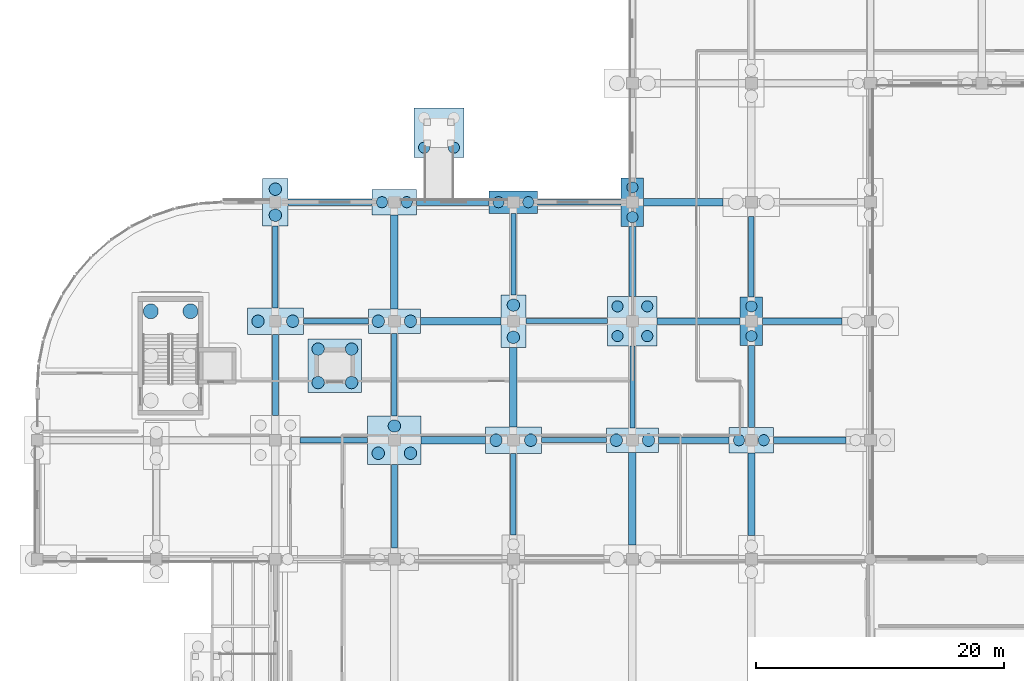
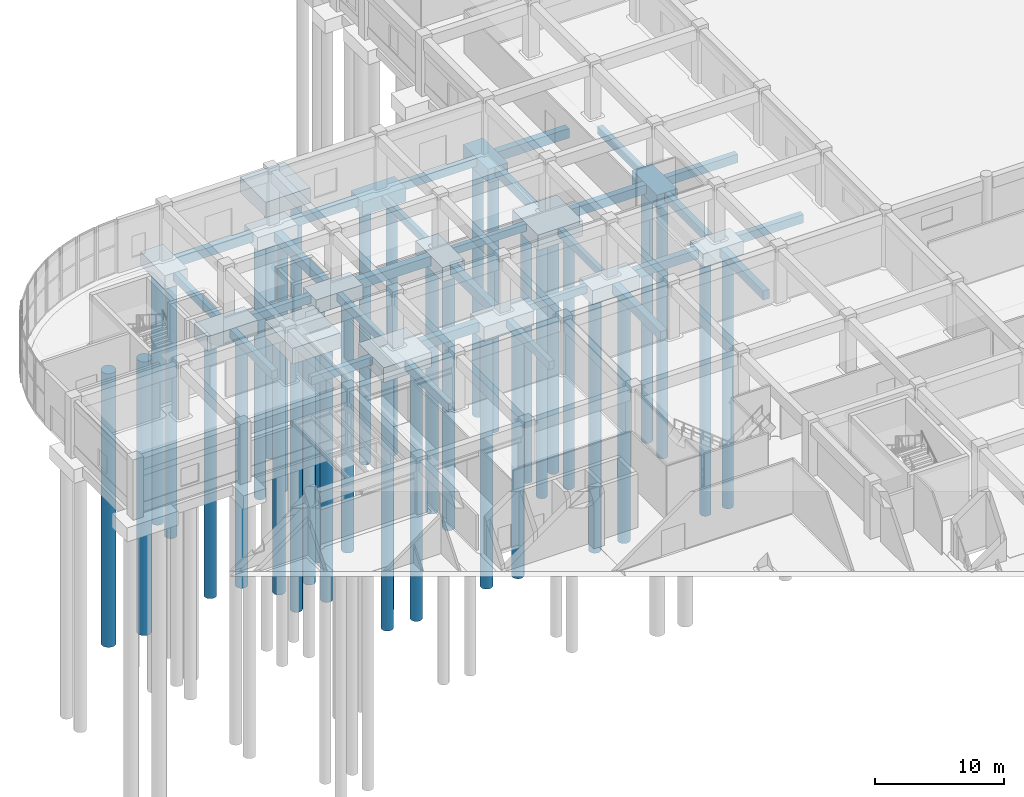
# One storey, part 2 of 74: 43 footings, 37 piles.
"""IFC4 building model written with IfcOpenShell, lengths in metres."""

from ifc_helpers import new_model, si_unit, direction, frame, origin, origin_2d, place, context, subcontext, project, spatial, rectangle, circle, extrude, material, material_profile, profile_set, type_object, element, save


model = new_model("IFC4")

# Units and contexts
model_context = context("Model", 3, precision=1e-05, world=origin(), true_north=direction((0.0, 1.0)))
body_context = subcontext(model_context, "Body", "Model", "MODEL_VIEW")
ifc_project = project(units=[si_unit("LENGTHUNIT", "METRE"), si_unit("AREAUNIT", "SQUARE_METRE"), si_unit("VOLUMEUNIT", "CUBIC_METRE"), si_unit("PLANEANGLEUNIT", "RADIAN"), si_unit("MASSUNIT", "GRAM", prefix="KILO")], contexts=[model_context])

# Site, building, storey
site_placement = place(None, origin())
site = spatial("IfcSite", under=ifc_project, at=site_placement, CompositionType="ELEMENT")
building_placement = place(site_placement, origin())
building = spatial("IfcBuilding", under=site, at=building_placement, Name="Cendralis Terraced Arcade", CompositionType="ELEMENT")
storey_placement = place(building_placement, origin())
storey = spatial("IfcBuildingStorey", under=building, at=storey_placement, Name="L00", CompositionType="ELEMENT", Elevation=0.0)

# Footings
ifc_material = material(Name="Concrete f'c 35 MPa", Category="concrete")
ifc_material_profile_1 = material_profile(ifc_material, rectangle(XDim=0.39990234375, YDim=0.699951171875, at=origin_2d()), Name="FB-400x700", Category="LoadBearing")
ifc_profile_set_1 = profile_set([ifc_material_profile_1], Name="Concrete f'c 35 MPa")
footing_type_1 = type_object("IfcFootingType", Name="FB-400x700", PredefinedType="FOOTING_BEAM", material=ifc_profile_set_1)
footing_1_placement = place(storey_placement, frame((40.64990234375, 69.60009765625, -0.64990234375), z_axis=(1.0, 0.0, 0.0), x_axis=(0.0, 1.0, 0.0)))
element("IfcFooting", 1, at=footing_1_placement, inside=storey, type_object=footing_type_1, Name="Reinforced Concrete Foundation Tie Beam FB-X-0084", PredefinedType="FOOTING_BEAM", context=body_context, shape_type="SweptSolid", body=[
    extrude(rectangle(XDim=0.39990234375, YDim=0.699951171875, at=origin_2d()), origin(), (0.0, 0.0, 1.0), 5.25),
])
footing_2_placement = place(storey_placement, frame((39.39990234375, 79.199951171875, -0.64990234375), z_axis=(1.0, 0.0, 0.0), x_axis=(0.0, 1.0, 0.0)))
element("IfcFooting", 2, at=footing_2_placement, inside=storey, type_object=footing_type_1, Name="Reinforced Concrete Foundation Tie Beam FB-X-0094", PredefinedType="FOOTING_BEAM", context=body_context, shape_type="SweptSolid", body=[
    extrude(rectangle(XDim=0.39990234375, YDim=0.699951171875, at=origin_2d()), origin(), (0.0, 0.0, 1.0), 6.60009765625),
])
for number, where, z_axis, x_axis, name in (
    (3, (38.39990234375, 81.300048828125, -0.64990234375), (0.0, 1.0, 0.0), (-1.0, 0.0, 0.0), "Reinforced Concrete Foundation Tie Beam FB-Y-0179"),
    (4, (48.0, 70.60009765625, -0.64990234375), (0.0, 1.0, 0.0), (-1.0, 0.0, 0.0), "Reinforced Concrete Foundation Tie Beam FB-Y-0184"),
):
    element("IfcFooting", number, at=place(storey_placement, frame(where, z_axis=z_axis, x_axis=x_axis)), inside=storey, type_object=footing_type_1, Name=name, PredefinedType="FOOTING_BEAM", context=body_context, shape_type="SweptSolid", body=[
        extrude(rectangle(XDim=0.39990234375, YDim=0.699951171875, at=origin_2d()), origin(), (0.0, 0.0, 1.0), 6.599853515625),
    ])
ifc_material_profile_2 = material_profile(ifc_material, rectangle(XDim=0.449951171875, YDim=0.75, at=origin_2d()), Name="FB-450x750", Category="LoadBearing")
ifc_profile_set_2 = profile_set([ifc_material_profile_2], Name="Concrete f'c 35 MPa")
footing_type_2 = type_object("IfcFootingType", Name="FB-450x750", PredefinedType="FOOTING_BEAM", material=ifc_profile_set_2)
footing_3_placement = place(storey_placement, frame((21.199951171875, 69.60009765625, -0.675048828125), z_axis=(1.0, 0.0, 0.0), x_axis=(0.0, 1.0, 0.0)))
element("IfcFooting", 5, at=footing_3_placement, inside=storey, type_object=footing_type_2, Name="Reinforced Concrete Foundation Tie Beam FB-X-0082", PredefinedType="FOOTING_BEAM", context=body_context, shape_type="SweptSolid", body=[
    extrude(rectangle(XDim=0.449951171875, YDim=0.75, at=origin_2d()), origin(), (0.0, 0.0, 1.0), 5.449951171875),
])
footing_4_placement = place(storey_placement, frame((21.449951171875, 79.199951171875, -0.675048828125), z_axis=(1.0, 0.0, 0.0), x_axis=(0.0, 1.0, 0.0)))
element("IfcFooting", 6, at=footing_4_placement, inside=storey, type_object=footing_type_2, Name="Reinforced Concrete Foundation Tie Beam FB-X-0092", PredefinedType="FOOTING_BEAM", context=body_context, shape_type="SweptSolid", body=[
    extrude(rectangle(XDim=0.449951171875, YDim=0.75, at=origin_2d()), origin(), (0.0, 0.0, 1.0), 5.25),
])
footing_5_placement = place(storey_placement, frame((40.35009765625, 88.800048828125, -0.675048828125), z_axis=(1.0, 0.0, 0.0), x_axis=(0.0, 1.0, 0.0)))
element("IfcFooting", 7, at=footing_5_placement, inside=storey, type_object=footing_type_2, Name="Reinforced Concrete Foundation Tie Beam FB-X-0102", PredefinedType="FOOTING_BEAM", context=body_context, shape_type="SweptSolid", body=[
    extrude(rectangle(XDim=0.449951171875, YDim=0.75, at=origin_2d()), origin(), (0.0, 0.0, 1.0), 6.75),
])
footing_6_placement = place(storey_placement, frame((19.199951171875, 80.27490234375, -0.675048828125), z_axis=(0.0, 1.0, 0.0), x_axis=(-1.0, 0.0, 0.0)))
element("IfcFooting", 8, at=footing_6_placement, inside=storey, type_object=footing_type_2, Name="Reinforced Concrete Foundation Tie Beam FB-Y-0167", PredefinedType="FOOTING_BEAM", context=body_context, shape_type="SweptSolid", body=[
    extrude(rectangle(XDim=0.449951171875, YDim=0.75, at=origin_2d()), origin(), (0.0, 0.0, 1.0), 6.625),
])
footing_7_placement = place(storey_placement, frame((28.800048828125, 71.550048828125, -0.675048828125), z_axis=(0.0, 1.0, 0.0), x_axis=(-1.0, 0.0, 0.0)))
element("IfcFooting", 9, at=footing_7_placement, inside=storey, type_object=footing_type_2, Name="Reinforced Concrete Foundation Tie Beam FB-Y-0172", PredefinedType="FOOTING_BEAM", context=body_context, shape_type="SweptSolid", body=[
    extrude(rectangle(XDim=0.449951171875, YDim=0.75, at=origin_2d()), origin(), (0.0, 0.0, 1.0), 6.64990234375),
])
footing_8_placement = place(storey_placement, frame((38.39990234375, 61.949951171875, -0.675048828125), z_axis=(0.0, 1.0, 0.0), x_axis=(-1.0, 0.0, 0.0)))
element("IfcFooting", 10, at=footing_8_placement, inside=storey, type_object=footing_type_2, Name="Reinforced Concrete Foundation Tie Beam FB-Y-0177", PredefinedType="FOOTING_BEAM", context=body_context, shape_type="SweptSolid", body=[
    extrude(rectangle(XDim=0.449951171875, YDim=0.75, at=origin_2d()), origin(), (0.0, 0.0, 1.0), 6.574951171875),
])
footing_9_placement = place(storey_placement, frame((57.60009765625, 81.14990234375, -0.675048828125), z_axis=(0.0, 1.0, 0.0), x_axis=(-1.0, 0.0, 0.0)))
element("IfcFooting", 11, at=footing_9_placement, inside=storey, type_object=footing_type_2, Name="Reinforced Concrete Foundation Tie Beam FB-Y-0197", PredefinedType="FOOTING_BEAM", context=body_context, shape_type="SweptSolid", body=[
    extrude(rectangle(XDim=0.449951171875, YDim=0.75, at=origin_2d()), origin(), (0.0, 0.0, 1.0), 6.5),
])
ifc_material_profile_3 = material_profile(ifc_material, rectangle(XDim=0.5, YDim=0.800048828125, at=origin_2d()), Name="FB-500x800", Category="LoadBearing")
ifc_profile_set_3 = profile_set([ifc_material_profile_3], Name="Concrete f'c 35 MPa")
footing_type_3 = type_object("IfcFootingType", Name="FB-500x800", PredefinedType="FOOTING_BEAM", material=ifc_profile_set_3)
footing_10_placement = place(storey_placement, frame((59.39990234375, 69.60009765625, -0.699951171875), z_axis=(1.0, 0.0, 0.0), x_axis=(0.0, 1.0, 0.0)))
element("IfcFooting", 12, at=footing_10_placement, inside=storey, type_object=footing_type_3, Name="Reinforced Concrete Foundation Tie Beam FB-X-0086", PredefinedType="FOOTING_BEAM", context=body_context, shape_type="SweptSolid", body=[
    extrude(rectangle(XDim=0.5, YDim=0.800048828125, at=origin_2d()), origin(), (0.0, 0.0, 1.0), 5.85009765625),
])
footing_11_placement = place(storey_placement, frame((58.5, 79.199951171875, -0.699951171875), z_axis=(1.0, 0.0, 0.0), x_axis=(0.0, 1.0, 0.0)))
element("IfcFooting", 13, at=footing_11_placement, inside=storey, type_object=footing_type_3, Name="Reinforced Concrete Foundation Tie Beam FB-X-0096", PredefinedType="FOOTING_BEAM", context=body_context, shape_type="SweptSolid", body=[
    extrude(rectangle(XDim=0.5, YDim=0.800048828125, at=origin_2d()), origin(), (0.0, 0.0, 1.0), 6.419921875),
])
footing_12_placement = place(storey_placement, frame((30.60009765625, 88.800048828125, -0.699951171875), z_axis=(1.0, 0.0, 0.0), x_axis=(0.0, 1.0, 0.0)))
element("IfcFooting", 14, at=footing_12_placement, inside=storey, type_object=footing_type_3, Name="Reinforced Concrete Foundation Tie Beam FB-X-0101", PredefinedType="FOOTING_BEAM", context=body_context, shape_type="SweptSolid", body=[
    extrude(rectangle(XDim=0.5, YDim=0.800048828125, at=origin_2d()), origin(), (0.0, 0.0, 1.0), 5.849853515625),
])
footing_13_placement = place(storey_placement, frame((19.199951171875, 71.60009765625, -0.699951171875), z_axis=(0.0, 1.0, 0.0), x_axis=(-1.0, 0.0, 0.0)))
element("IfcFooting", 15, at=footing_13_placement, inside=storey, type_object=footing_type_3, Name="Reinforced Concrete Foundation Tie Beam FB-Y-0166", PredefinedType="FOOTING_BEAM", context=body_context, shape_type="SweptSolid", body=[
    extrude(rectangle(XDim=0.5, YDim=0.800048828125, at=origin_2d()), origin(), (0.0, 0.0, 1.0), 6.52490234375),
])
footing_14_placement = place(storey_placement, frame((28.800048828125, 60.89990234375, -0.699951171875), z_axis=(0.0, 1.0, 0.0), x_axis=(-1.0, 0.0, 0.0)))
element("IfcFooting", 16, at=footing_14_placement, inside=storey, type_object=footing_type_3, Name="Reinforced Concrete Foundation Tie Beam FB-Y-0171", PredefinedType="FOOTING_BEAM", context=body_context, shape_type="SweptSolid", body=[
    extrude(rectangle(XDim=0.5, YDim=0.800048828125, at=origin_2d()), origin(), (0.0, 0.0, 1.0), 6.75),
])
footing_15_placement = place(storey_placement, frame((57.60009765625, 70.625, -0.699951171875), z_axis=(0.0, 1.0, 0.0), x_axis=(-1.0, 0.0, 0.0)))
element("IfcFooting", 17, at=footing_15_placement, inside=storey, type_object=footing_type_3, Name="Reinforced Concrete Foundation Tie Beam FB-Y-0196", PredefinedType="FOOTING_BEAM", context=body_context, shape_type="SweptSolid", body=[
    extrude(rectangle(XDim=0.5, YDim=0.800048828125, at=origin_2d()), origin(), (0.0, 0.0, 1.0), 6.625),
])
ifc_material_profile_4 = material_profile(ifc_material, rectangle(XDim=0.550048828125, YDim=0.85009765625, at=origin_2d()), Name="FB-550x850", Category="LoadBearing")
ifc_profile_set_4 = profile_set([ifc_material_profile_4], Name="Concrete f'c 35 MPa")
footing_type_4 = type_object("IfcFootingType", Name="FB-550x850", PredefinedType="FOOTING_BEAM", material=ifc_profile_set_4)
footing_16_placement = place(storey_placement, frame((50.10009765625, 69.60009765625, -0.72509765625), z_axis=(1.0, 0.0, 0.0), x_axis=(0.0, 1.0, 0.0)))
element("IfcFooting", 18, at=footing_16_placement, inside=storey, type_object=footing_type_4, Name="Reinforced Concrete Foundation Tie Beam FB-X-0085", PredefinedType="FOOTING_BEAM", context=body_context, shape_type="SweptSolid", body=[
    extrude(rectangle(XDim=0.550048828125, YDim=0.85009765625, at=origin_2d()), origin(), (0.0, 0.0, 1.0), 5.699951171875),
])
footing_17_placement = place(storey_placement, frame((50.0, 79.199951171875, -0.72509765625), z_axis=(1.0, 0.0, 0.0), x_axis=(0.0, 1.0, 0.0)))
element("IfcFooting", 19, at=footing_17_placement, inside=storey, type_object=footing_type_4, Name="Reinforced Concrete Foundation Tie Beam FB-X-0095", PredefinedType="FOOTING_BEAM", context=body_context, shape_type="SweptSolid", body=[
    extrude(rectangle(XDim=0.550048828125, YDim=0.85009765625, at=origin_2d()), origin(), (0.0, 0.0, 1.0), 6.699951171875),
])
footing_18_placement = place(storey_placement, frame((20.22509765625, 88.800048828125, -0.72509765625), z_axis=(1.0, 0.0, 0.0), x_axis=(0.0, 1.0, 0.0)))
element("IfcFooting", 20, at=footing_18_placement, inside=storey, type_object=footing_type_4, Name="Reinforced Concrete Foundation Tie Beam FB-X-0100", PredefinedType="FOOTING_BEAM", context=body_context, shape_type="SweptSolid", body=[
    extrude(rectangle(XDim=0.550048828125, YDim=0.85009765625, at=origin_2d()), origin(), (0.0, 0.0, 1.0), 6.77490234375),
])
footing_19_placement = place(storey_placement, frame((48.0, 81.199951171875, -0.72509765625), z_axis=(0.0, 1.0, 0.0), x_axis=(-1.0, 0.0, 0.0)))
element("IfcFooting", 21, at=footing_19_placement, inside=storey, type_object=footing_type_4, Name="Reinforced Concrete Foundation Tie Beam FB-Y-0185", PredefinedType="FOOTING_BEAM", context=body_context, shape_type="SweptSolid", body=[
    extrude(rectangle(XDim=0.550048828125, YDim=0.85009765625, at=origin_2d()), origin(), (0.0, 0.0, 1.0), 5.650146484375),
])
footing_20_placement = place(storey_placement, frame((57.60009765625, 61.89990234375, -0.72509765625), z_axis=(0.0, 1.0, 0.0), x_axis=(-1.0, 0.0, 0.0)))
element("IfcFooting", 22, at=footing_20_placement, inside=storey, type_object=footing_type_4, Name="Reinforced Concrete Foundation Tie Beam FB-Y-0195", PredefinedType="FOOTING_BEAM", context=body_context, shape_type="SweptSolid", body=[
    extrude(rectangle(XDim=0.550048828125, YDim=0.85009765625, at=origin_2d()), origin(), (0.0, 0.0, 1.0), 6.675048828125),
])
ifc_material_profile_5 = material_profile(ifc_material, rectangle(XDim=0.60009765625, YDim=0.89990234375, at=origin_2d()), Name="FB-600x900", Category="LoadBearing")
ifc_profile_set_5 = profile_set([ifc_material_profile_5], Name="Concrete f'c 35 MPa")
footing_type_5 = type_object("IfcFootingType", Name="FB-600x900", PredefinedType="FOOTING_BEAM", material=ifc_profile_set_5)
footing_21_placement = place(storey_placement, frame((30.949951171875, 69.60009765625, -0.75), z_axis=(1.0, 0.0, 0.0), x_axis=(0.0, 1.0, 0.0)))
element("IfcFooting", 23, at=footing_21_placement, inside=storey, type_object=footing_type_5, Name="Reinforced Concrete Foundation Tie Beam FB-X-0083", PredefinedType="FOOTING_BEAM", context=body_context, shape_type="SweptSolid", body=[
    extrude(rectangle(XDim=0.60009765625, YDim=0.89990234375, at=origin_2d()), origin(), (0.0, 0.0, 1.0), 5.199951171875),
])
footing_22_placement = place(storey_placement, frame((30.89990234375, 79.199951171875, -0.75), z_axis=(1.0, 0.0, 0.0), x_axis=(0.0, 1.0, 0.0)))
element("IfcFooting", 24, at=footing_22_placement, inside=storey, type_object=footing_type_5, Name="Reinforced Concrete Foundation Tie Beam FB-X-0093", PredefinedType="FOOTING_BEAM", context=body_context, shape_type="SweptSolid", body=[
    extrude(rectangle(XDim=0.60009765625, YDim=0.89990234375, at=origin_2d()), origin(), (0.0, 0.0, 1.0), 6.5),
])
footing_23_placement = place(storey_placement, frame((48.89990234375, 88.800048828125, -0.75), z_axis=(1.0, 0.0, 0.0), x_axis=(0.0, 1.0, 0.0)))
element("IfcFooting", 25, at=footing_23_placement, inside=storey, type_object=footing_type_5, Name="Reinforced Concrete Foundation Tie Beam FB-X-0103", PredefinedType="FOOTING_BEAM", context=body_context, shape_type="SweptSolid", body=[
    extrude(rectangle(XDim=0.60009765625, YDim=0.89990234375, at=origin_2d()), origin(), (0.0, 0.0, 1.0), 6.420166015625),
])
footing_24_placement = place(storey_placement, frame((28.800048828125, 80.199951171875, -0.75), z_axis=(0.0, 1.0, 0.0), x_axis=(-1.0, 0.0, 0.0)))
element("IfcFooting", 26, at=footing_24_placement, inside=storey, type_object=footing_type_5, Name="Reinforced Concrete Foundation Tie Beam FB-Y-0173", PredefinedType="FOOTING_BEAM", context=body_context, shape_type="SweptSolid", body=[
    extrude(rectangle(XDim=0.60009765625, YDim=0.89990234375, at=origin_2d()), origin(), (0.0, 0.0, 1.0), 7.574951171875),
])
footing_25_placement = place(storey_placement, frame((38.39990234375, 70.675048828125, -0.75), z_axis=(0.0, 1.0, 0.0), x_axis=(-1.0, 0.0, 0.0)))
element("IfcFooting", 27, at=footing_25_placement, inside=storey, type_object=footing_type_5, Name="Reinforced Concrete Foundation Tie Beam FB-Y-0178", PredefinedType="FOOTING_BEAM", context=body_context, shape_type="SweptSolid", body=[
    extrude(rectangle(XDim=0.60009765625, YDim=0.89990234375, at=origin_2d()), origin(), (0.0, 0.0, 1.0), 6.425048828125),
])
footing_26_placement = place(storey_placement, frame((48.0, 61.14990234375, -0.75), z_axis=(0.0, 1.0, 0.0), x_axis=(-1.0, 0.0, 0.0)))
element("IfcFooting", 28, at=footing_26_placement, inside=storey, type_object=footing_type_5, Name="Reinforced Concrete Foundation Tie Beam FB-Y-0183", PredefinedType="FOOTING_BEAM", context=body_context, shape_type="SweptSolid", body=[
    extrude(rectangle(XDim=0.60009765625, YDim=0.89990234375, at=origin_2d()), origin(), (0.0, 0.0, 1.0), 7.4501953125),
])
footing_type_6 = type_object("IfcFootingType", Name="PC-2P-1800x3900x1300", PredefinedType="PILE_CAP", material=ifc_material)
for number, where, z_axis, x_axis, name in (
    (29, (48.0, 88.800048828125, -1.60009765625), (0.0, 0.0, 1.0), (1.0, 0.0, 0.0), "Reinforced Concrete Bored Pile Cap CAP-G6-K"),
    (30, (57.60009765625, 79.199951171875, -1.60009765625), (0.0, 0.0, 1.0), (1.0, 0.0, 0.0), "Reinforced Concrete Bored Pile Cap CAP-G7-J"),
):
    element("IfcFooting", number, at=place(storey_placement, frame(where, z_axis=z_axis, x_axis=x_axis)), inside=storey, type_object=footing_type_6, Name=name, PredefinedType="PILE_CAP", context=body_context, shape_type="SweptSolid", body=[
        extrude(rectangle(XDim=1.800048828125, YDim=3.89990234375, at=origin_2d()), origin(), (0.0, 0.0, 1.0), 1.300048828125),
    ])
footing_type_7 = type_object("IfcFootingType", Name="PC-2P-2000x4200x1350", PredefinedType="PILE_CAP", material=ifc_material)
footing_27_placement = place(storey_placement, frame((38.39990234375, 79.199951171875, -1.650146484375), z_axis=(0.0, 0.0, 1.0), x_axis=(1.0, 0.0, 0.0)))
element("IfcFooting", 31, at=footing_27_placement, inside=storey, type_object=footing_type_7, Name="Reinforced Concrete Bored Pile Cap CAP-G5-J", PredefinedType="PILE_CAP", context=body_context, shape_type="SweptSolid", body=[
    extrude(rectangle(XDim=2.0, YDim=4.199951171875, at=origin_2d()), origin(), (0.0, 0.0, 1.0), 1.35009765625),
])
footing_type_8 = type_object("IfcFootingType", Name="PC-2P-2050x3800x1280", PredefinedType="PILE_CAP", material=ifc_material)
footing_28_placement = place(storey_placement, frame((19.199951171875, 88.800048828125, -1.580078125), z_axis=(0.0, 0.0, 1.0), x_axis=(1.0, 0.0, 0.0)))
element("IfcFooting", 32, at=footing_28_placement, inside=storey, type_object=footing_type_8, Name="Reinforced Concrete Bored Pile Cap CAP-G3-K", PredefinedType="PILE_CAP", context=body_context, shape_type="SweptSolid", body=[
    extrude(rectangle(XDim=2.050048828125, YDim=3.800048828125, at=origin_2d()), origin(), (0.0, 0.0, 1.0), 1.280029296875),
])
footing_type_9 = type_object("IfcFootingType", Name="PC-2P-3600x2050x1260", PredefinedType="PILE_CAP", material=ifc_material)
for number, where, z_axis, x_axis, name in (
    (33, (28.800048828125, 88.800048828125, -1.56005859375), (0.0, 0.0, 1.0), (1.0, 0.0, 0.0), "Reinforced Concrete Bored Pile Cap CAP-G4-K"),
    (34, (57.60009765625, 69.60009765625, -1.56005859375), (0.0, 0.0, 1.0), (1.0, 0.0, 0.0), "Reinforced Concrete Bored Pile Cap CAP-G7-H"),
):
    element("IfcFooting", number, at=place(storey_placement, frame(where, z_axis=z_axis, x_axis=x_axis)), inside=storey, type_object=footing_type_9, Name=name, PredefinedType="PILE_CAP", context=body_context, shape_type="SweptSolid", body=[
        extrude(rectangle(XDim=3.60009765625, YDim=2.050048828125, at=origin_2d()), origin(), (0.0, 0.0, 1.0), 1.260009765625),
    ])
footing_type_10 = type_object("IfcFootingType", Name="PC-2P-3900x1800x1300", PredefinedType="PILE_CAP", material=ifc_material)
footing_29_placement = place(storey_placement, frame((38.39990234375, 88.800048828125, -1.60009765625), z_axis=(0.0, 0.0, 1.0), x_axis=(1.0, 0.0, 0.0)))
element("IfcFooting", 35, at=footing_29_placement, inside=storey, type_object=footing_type_10, Name="Reinforced Concrete Bored Pile Cap CAP-G5-K", PredefinedType="PILE_CAP", context=body_context, shape_type="SweptSolid", body=[
    extrude(rectangle(XDim=3.89990234375, YDim=1.800048828125, at=origin_2d()), origin(), (0.0, 0.0, 1.0), 1.300048828125),
])
footing_type_11 = type_object("IfcFootingType", Name="PC-2P-4200x2000x1350", PredefinedType="PILE_CAP", material=ifc_material)
for number, where, z_axis, x_axis, name in (
    (36, (28.800048828125, 79.199951171875, -1.650146484375), (0.0, 0.0, 1.0), (1.0, 0.0, 0.0), "Reinforced Concrete Bored Pile Cap CAP-G4-J"),
    (37, (48.0, 69.60009765625, -1.650146484375), (0.0, 0.0, 1.0), (1.0, 0.0, 0.0), "Reinforced Concrete Bored Pile Cap CAP-G6-H"),
):
    element("IfcFooting", number, at=place(storey_placement, frame(where, z_axis=z_axis, x_axis=x_axis)), inside=storey, type_object=footing_type_11, Name=name, PredefinedType="PILE_CAP", context=body_context, shape_type="SweptSolid", body=[
        extrude(rectangle(XDim=4.199951171875, YDim=2.0, at=origin_2d()), origin(), (0.0, 0.0, 1.0), 1.35009765625),
    ])
footing_type_12 = type_object("IfcFootingType", Name="PC-2P-4500x2150x1380", PredefinedType="PILE_CAP", material=ifc_material)
for number, where, z_axis, x_axis, name in (
    (38, (19.199951171875, 79.199951171875, -1.679931640625), (0.0, 0.0, 1.0), (1.0, 0.0, 0.0), "Reinforced Concrete Bored Pile Cap CAP-G3-J"),
    (39, (38.39990234375, 69.60009765625, -1.679931640625), (0.0, 0.0, 1.0), (1.0, 0.0, 0.0), "Reinforced Concrete Bored Pile Cap CAP-G5-H"),
):
    element("IfcFooting", number, at=place(storey_placement, frame(where, z_axis=z_axis, x_axis=x_axis)), inside=storey, type_object=footing_type_12, Name=name, PredefinedType="PILE_CAP", context=body_context, shape_type="SweptSolid", body=[
        extrude(rectangle(XDim=4.5, YDim=2.14990234375, at=origin_2d()), origin(), (0.0, 0.0, 1.0), 1.3798828125),
    ])
footing_type_13 = type_object("IfcFootingType", Name="PC-3P-4300x3900x1400", PredefinedType="PILE_CAP", material=ifc_material)
footing_30_placement = place(storey_placement, frame((28.800048828125, 69.60009765625, -1.699951171875), z_axis=(0.0, 0.0, 1.0), x_axis=(1.0, 0.0, 0.0)))
element("IfcFooting", 40, at=footing_30_placement, inside=storey, type_object=footing_type_13, Name="Reinforced Concrete Bored Pile Cap CAP-G4-H", PredefinedType="PILE_CAP", context=body_context, shape_type="SweptSolid", body=[
    extrude(rectangle(XDim=4.300048828125, YDim=3.89990234375, at=origin_2d()), origin(), (0.0, 0.0, 1.0), 1.39990234375),
])
footing_type_14 = type_object("IfcFootingType", Name="PC-4P-4000x4000x1450", PredefinedType="PILE_CAP", material=ifc_material)
for number, where, z_axis, x_axis, name in (
    (41, (48.0, 79.199951171875, -1.75), (0.0, 0.0, 1.0), (1.0, 0.0, 0.0), "Reinforced Concrete Bored Pile Cap CAP-G6-J"),
    (42, (32.39990234375, 94.39990234375, -2.39990234375), (0.0, 0.0, 1.0), (1.0, 0.0, 0.0), "Reinforced Concrete Bored Pile Cap CAP-RMP-06"),
):
    element("IfcFooting", number, at=place(storey_placement, frame(where, z_axis=z_axis, x_axis=x_axis)), inside=storey, type_object=footing_type_14, Name=name, PredefinedType="PILE_CAP", context=body_context, shape_type="SweptSolid", body=[
        extrude(rectangle(XDim=4.0, YDim=4.0, at=origin_2d()), origin(), (0.0, 0.0, 1.0), 1.449951171875),
    ])
footing_type_15 = type_object("IfcFootingType", Name="PC-4P-4300x4300x1480", PredefinedType="PILE_CAP", material=ifc_material)
footing_31_placement = place(storey_placement, frame((24.0, 75.60009765625, -1.780029296875), z_axis=(0.0, 0.0, 1.0), x_axis=(1.0, 0.0, 0.0)))
element("IfcFooting", 43, at=footing_31_placement, inside=storey, type_object=footing_type_15, Name="Reinforced Concrete Bored Pile Cap CAP-PL-06", PredefinedType="PILE_CAP", context=body_context, shape_type="SweptSolid", body=[
    extrude(rectangle(XDim=4.300048828125, YDim=4.300048828125, at=origin_2d()), origin(), (0.0, 0.0, 1.0), 1.47998046875),
])

# Piles
ifc_material_profile_6 = material_profile(ifc_material, circle(Radius=0.5, at=origin_2d()), Name="PILE-D1000", Category="LoadBearing")
ifc_profile_set_6 = profile_set([ifc_material_profile_6], Name="Concrete f'c 35 MPa")
pile_type_1 = type_object("IfcPileType", Name="PILE-1000", PredefinedType="BORED", material=ifc_profile_set_6)
for number, where, z_axis, x_axis, name in (
    (44, (22.64990234375, 74.25, -1.679931640625), (0.0, 0.0, -1.0), (1.0, 0.0, 0.0), "Bored Concrete Pile PILE-C-CAP-PL-06-4--135_-135"),
    (45, (25.35009765625, 74.25, -1.679931640625), (0.0, 0.0, -1.0), (1.0, 0.0, 0.0), "Bored Concrete Pile PILE-C-CAP-PL-06-4-135_-135"),
    (46, (22.64990234375, 76.949951171875, -1.679931640625), (0.0, 0.0, -1.0), (1.0, 0.0, 0.0), "Bored Concrete Pile PILE-C-CAP-PL-06-4--135_135"),
    (47, (25.35009765625, 76.949951171875, -1.679931640625), (0.0, 0.0, -1.0), (1.0, 0.0, 0.0), "Bored Concrete Pile PILE-C-CAP-PL-06-4-135_135"),
):
    element("IfcPile", number, at=place(storey_placement, frame(where, z_axis=z_axis, x_axis=x_axis)), inside=storey, type_object=pile_type_1, Name=name, PredefinedType="BORED", context=body_context, shape_type="SweptSolid", body=[
        extrude(circle(Radius=0.5, at=origin_2d()), origin(), (0.0, 0.0, 1.0), 24.02001953125),
    ])
for number, where, z_axis, x_axis, name in (
    (48, (17.800048828125, 79.199951171875, -1.580078125), (0.0, 0.0, -1.0), (1.0, 0.0, 0.0), "Bored Concrete Pile PILE-C-CAP-G3-J-2--140_0"),
    (49, (20.60009765625, 79.199951171875, -1.580078125), (0.0, 0.0, -1.0), (1.0, 0.0, 0.0), "Bored Concrete Pile PILE-C-CAP-G3-J-2-140_0"),
):
    element("IfcPile", number, at=place(storey_placement, frame(where, z_axis=z_axis, x_axis=x_axis)), inside=storey, type_object=pile_type_1, Name=name, PredefinedType="BORED", context=body_context, shape_type="SweptSolid", body=[
        extrude(circle(Radius=0.5, at=origin_2d()), origin(), (0.0, 0.0, 1.0), 24.1201171875),
    ])
for number, where, z_axis, x_axis, name in (
    (50, (19.199951171875, 87.75, -1.47998046875), (0.0, 0.0, -1.0), (1.0, 0.0, 0.0), "Bored Concrete Pile PILE-C-CAP-G3-K-1-0_-105"),
    (51, (19.199951171875, 89.85009765625, -1.47998046875), (0.0, 0.0, -1.0), (1.0, 0.0, 0.0), "Bored Concrete Pile PILE-B-CAP-G3-K-1"),
):
    element("IfcPile", number, at=place(storey_placement, frame(where, z_axis=z_axis, x_axis=x_axis)), inside=storey, type_object=pile_type_1, Name=name, PredefinedType="BORED", context=body_context, shape_type="SweptSolid", body=[
        extrude(circle(Radius=0.5, at=origin_2d()), origin(), (0.0, 0.0, 1.0), 24.219970703125),
    ])
for number, where, z_axis, x_axis, name in (
    (52, (27.5, 68.550048828125, -1.60009765625), (0.0, 0.0, -1.0), (1.0, 0.0, 0.0), "Bored Concrete Pile PILE-C-CAP-G4-H-3--130_-105"),
    (53, (30.10009765625, 68.550048828125, -1.60009765625), (0.0, 0.0, -1.0), (1.0, 0.0, 0.0), "Bored Concrete Pile PILE-C-CAP-G4-H-3-130_-105"),
    (54, (28.800048828125, 70.75, -1.60009765625), (0.0, 0.0, -1.0), (1.0, 0.0, 0.0), "Bored Concrete Pile PILE-C-CAP-G4-H-3-0_115"),
):
    element("IfcPile", number, at=place(storey_placement, frame(where, z_axis=z_axis, x_axis=x_axis)), inside=storey, type_object=pile_type_1, Name=name, PredefinedType="BORED", context=body_context, shape_type="SweptSolid", body=[
        extrude(circle(Radius=0.5, at=origin_2d()), origin(), (0.0, 0.0, 1.0), 24.10009765625),
    ])
for number, where, z_axis, x_axis, name in (
    (55, (27.5, 79.199951171875, -1.550048828125), (0.0, 0.0, -1.0), (1.0, 0.0, 0.0), "Bored Concrete Pile PILE-C-CAP-G4-J-2--130_0"),
    (56, (30.10009765625, 79.199951171875, -1.550048828125), (0.0, 0.0, -1.0), (1.0, 0.0, 0.0), "Bored Concrete Pile PILE-C-CAP-G4-J-2-130_0"),
):
    element("IfcPile", number, at=place(storey_placement, frame(where, z_axis=z_axis, x_axis=x_axis)), inside=storey, type_object=pile_type_1, Name=name, PredefinedType="BORED", context=body_context, shape_type="SweptSolid", body=[
        extrude(circle(Radius=0.5, at=origin_2d()), origin(), (0.0, 0.0, 1.0), 24.14990234375),
    ])
for number, where, z_axis, x_axis, name in (
    (57, (37.0, 69.60009765625, -1.580078125), (0.0, 0.0, -1.0), (1.0, 0.0, 0.0), "Bored Concrete Pile PILE-C-CAP-G5-H-2--140_0"),
    (58, (39.800048828125, 69.60009765625, -1.580078125), (0.0, 0.0, -1.0), (1.0, 0.0, 0.0), "Bored Concrete Pile PILE-C-CAP-G5-H-2-140_0"),
):
    element("IfcPile", number, at=place(storey_placement, frame(where, z_axis=z_axis, x_axis=x_axis)), inside=storey, type_object=pile_type_1, Name=name, PredefinedType="BORED", context=body_context, shape_type="SweptSolid", body=[
        extrude(circle(Radius=0.5, at=origin_2d()), origin(), (0.0, 0.0, 1.0), 24.1201171875),
    ])
for number, where, z_axis, x_axis, name in (
    (59, (38.39990234375, 77.89990234375, -1.550048828125), (0.0, 0.0, -1.0), (1.0, 0.0, 0.0), "Bored Concrete Pile PILE-C-CAP-G5-J-2-0_-130"),
    (60, (38.39990234375, 80.5, -1.550048828125), (0.0, 0.0, -1.0), (1.0, 0.0, 0.0), "Bored Concrete Pile PILE-C-CAP-G5-J-2-0_130"),
    (61, (46.699951171875, 69.60009765625, -1.550048828125), (0.0, 0.0, -1.0), (1.0, 0.0, 0.0), "Bored Concrete Pile PILE-C-CAP-G6-H-2--130_0"),
    (62, (49.300048828125, 69.60009765625, -1.550048828125), (0.0, 0.0, -1.0), (1.0, 0.0, 0.0), "Bored Concrete Pile PILE-C-CAP-G6-H-2-130_0"),
):
    element("IfcPile", number, at=place(storey_placement, frame(where, z_axis=z_axis, x_axis=x_axis)), inside=storey, type_object=pile_type_1, Name=name, PredefinedType="BORED", context=body_context, shape_type="SweptSolid", body=[
        extrude(circle(Radius=0.5, at=origin_2d()), origin(), (0.0, 0.0, 1.0), 24.14990234375),
    ])
ifc_material_profile_7 = material_profile(ifc_material, circle(Radius=0.60009765625, at=origin_2d()), Name="PILE-D1200", Category="LoadBearing")
ifc_profile_set_7 = profile_set([ifc_material_profile_7], Name="Concrete f'c 35 MPa")
pile_type_2 = type_object("IfcPileType", Name="PILE-1200", PredefinedType="BORED", material=ifc_profile_set_7)
for number, where, z_axis, x_axis, name in (
    (63, (9.14990234375, 80.0, -1.800048828125), (0.0, 0.0, -1.0), (1.0, 0.0, 0.0), "Bored Concrete Pile PILE-C-CAP-ST-07-6--160_360"),
    (64, (12.35009765625, 80.0, -1.800048828125), (0.0, 0.0, -1.0), (1.0, 0.0, 0.0), "Bored Concrete Pile PILE-C-CAP-ST-07-6-160_360"),
):
    element("IfcPile", number, at=place(storey_placement, frame(where, z_axis=z_axis, x_axis=x_axis)), inside=storey, type_object=pile_type_2, Name=name, PredefinedType="BORED", context=body_context, shape_type="SweptSolid", body=[
        extrude(circle(Radius=0.60009765625, at=origin_2d()), origin(), (0.0, 0.0, 1.0), 25.89990234375),
    ])
ifc_material_profile_8 = material_profile(ifc_material, circle(Radius=0.449951171875, at=origin_2d()), Name="PILE-D900", Category="LoadBearing")
ifc_profile_set_8 = profile_set([ifc_material_profile_8], Name="Concrete f'c 35 MPa")
pile_type_3 = type_object("IfcPileType", Name="PILE-900", PredefinedType="BORED", material=ifc_profile_set_8)
for number, where, z_axis, x_axis, name in (
    (65, (27.800048828125, 88.800048828125, -1.4599609375), (0.0, 0.0, -1.0), (1.0, 0.0, 0.0), "Bored Concrete Pile PILE-C-CAP-G4-K-1--100_0"),
    (66, (29.800048828125, 88.800048828125, -1.4599609375), (0.0, 0.0, -1.0), (1.0, 0.0, 0.0), "Bored Concrete Pile PILE-B-CAP-G4-K-1"),
):
    element("IfcPile", number, at=place(storey_placement, frame(where, z_axis=z_axis, x_axis=x_axis)), inside=storey, type_object=pile_type_3, Name=name, PredefinedType="BORED", context=body_context, shape_type="SweptSolid", body=[
        extrude(circle(Radius=0.449951171875, at=origin_2d()), origin(), (0.0, 0.0, 1.0), 24.239990234375),
    ])
for number, where, z_axis, x_axis, name in (
    (67, (37.199951171875, 88.800048828125, -1.5), (0.0, 0.0, -1.0), (1.0, 0.0, 0.0), "Bored Concrete Pile PILE-C-CAP-G5-K-2--120_0"),
    (68, (39.60009765625, 88.800048828125, -1.5), (0.0, 0.0, -1.0), (1.0, 0.0, 0.0), "Bored Concrete Pile PILE-C-CAP-G5-K-2-120_0"),
):
    element("IfcPile", number, at=place(storey_placement, frame(where, z_axis=z_axis, x_axis=x_axis)), inside=storey, type_object=pile_type_3, Name=name, PredefinedType="BORED", context=body_context, shape_type="SweptSolid", body=[
        extrude(circle(Radius=0.449951171875, at=origin_2d()), origin(), (0.0, 0.0, 1.0), 24.199951171875),
    ])
for number, where, z_axis, x_axis, name in (
    (69, (46.800048828125, 78.0, -1.64990234375), (0.0, 0.0, -1.0), (1.0, 0.0, 0.0), "Bored Concrete Pile PILE-C-CAP-G6-J-4--120_-120"),
    (70, (49.199951171875, 78.0, -1.64990234375), (0.0, 0.0, -1.0), (1.0, 0.0, 0.0), "Bored Concrete Pile PILE-C-CAP-G6-J-4-120_-120"),
    (71, (46.800048828125, 80.39990234375, -1.64990234375), (0.0, 0.0, -1.0), (1.0, 0.0, 0.0), "Bored Concrete Pile PILE-C-CAP-G6-J-4--120_120"),
    (72, (49.199951171875, 80.39990234375, -1.64990234375), (0.0, 0.0, -1.0), (1.0, 0.0, 0.0), "Bored Concrete Pile PILE-C-CAP-G6-J-4-120_120"),
):
    element("IfcPile", number, at=place(storey_placement, frame(where, z_axis=z_axis, x_axis=x_axis)), inside=storey, type_object=pile_type_3, Name=name, PredefinedType="BORED", context=body_context, shape_type="SweptSolid", body=[
        extrude(circle(Radius=0.449951171875, at=origin_2d()), origin(), (0.0, 0.0, 1.0), 24.050048828125),
    ])
for number, where, z_axis, x_axis, name in (
    (73, (48.0, 87.60009765625, -1.5), (0.0, 0.0, -1.0), (1.0, 0.0, 0.0), "Bored Concrete Pile PILE-C-CAP-G6-K-2-0_-120"),
    (74, (48.0, 90.0, -1.5), (0.0, 0.0, -1.0), (1.0, 0.0, 0.0), "Bored Concrete Pile PILE-C-CAP-G6-K-2-0_120"),
):
    element("IfcPile", number, at=place(storey_placement, frame(where, z_axis=z_axis, x_axis=x_axis)), inside=storey, type_object=pile_type_3, Name=name, PredefinedType="BORED", context=body_context, shape_type="SweptSolid", body=[
        extrude(circle(Radius=0.449951171875, at=origin_2d()), origin(), (0.0, 0.0, 1.0), 24.199951171875),
    ])
for number, where, z_axis, x_axis, name in (
    (75, (56.60009765625, 69.60009765625, -1.4599609375), (0.0, 0.0, -1.0), (1.0, 0.0, 0.0), "Bored Concrete Pile PILE-C-CAP-G7-H-1--100_0"),
    (76, (58.60009765625, 69.60009765625, -1.4599609375), (0.0, 0.0, -1.0), (1.0, 0.0, 0.0), "Bored Concrete Pile PILE-B-CAP-G7-H-1"),
):
    element("IfcPile", number, at=place(storey_placement, frame(where, z_axis=z_axis, x_axis=x_axis)), inside=storey, type_object=pile_type_3, Name=name, PredefinedType="BORED", context=body_context, shape_type="SweptSolid", body=[
        extrude(circle(Radius=0.449951171875, at=origin_2d()), origin(), (0.0, 0.0, 1.0), 24.239990234375),
    ])
for number, where, z_axis, x_axis, name in (
    (77, (57.60009765625, 78.0, -1.5), (0.0, 0.0, -1.0), (1.0, 0.0, 0.0), "Bored Concrete Pile PILE-C-CAP-G7-J-2-0_-120"),
    (78, (57.60009765625, 80.39990234375, -1.5), (0.0, 0.0, -1.0), (1.0, 0.0, 0.0), "Bored Concrete Pile PILE-C-CAP-G7-J-2-0_120"),
):
    element("IfcPile", number, at=place(storey_placement, frame(where, z_axis=z_axis, x_axis=x_axis)), inside=storey, type_object=pile_type_3, Name=name, PredefinedType="BORED", context=body_context, shape_type="SweptSolid", body=[
        extrude(circle(Radius=0.449951171875, at=origin_2d()), origin(), (0.0, 0.0, 1.0), 24.199951171875),
    ])
for number, where, z_axis, x_axis, name in (
    (79, (31.199951171875, 93.199951171875, -2.300048828125), (0.0, 0.0, -1.0), (1.0, 0.0, 0.0), "Bored Concrete Pile PILE-C-CAP-RMP-06-1--120_-120"),
    (80, (33.60009765625, 93.199951171875, -2.300048828125), (0.0, 0.0, -1.0), (1.0, 0.0, 0.0), "Bored Concrete Pile PILE-B-CAP-RMP-06-1"),
):
    element("IfcPile", number, at=place(storey_placement, frame(where, z_axis=z_axis, x_axis=x_axis)), inside=storey, type_object=pile_type_3, Name=name, PredefinedType="BORED", context=body_context, shape_type="SweptSolid", body=[
        extrude(circle(Radius=0.449951171875, at=origin_2d()), origin(), (0.0, 0.0, 1.0), 23.39990234375),
    ])

save(model, "model.ifc")
